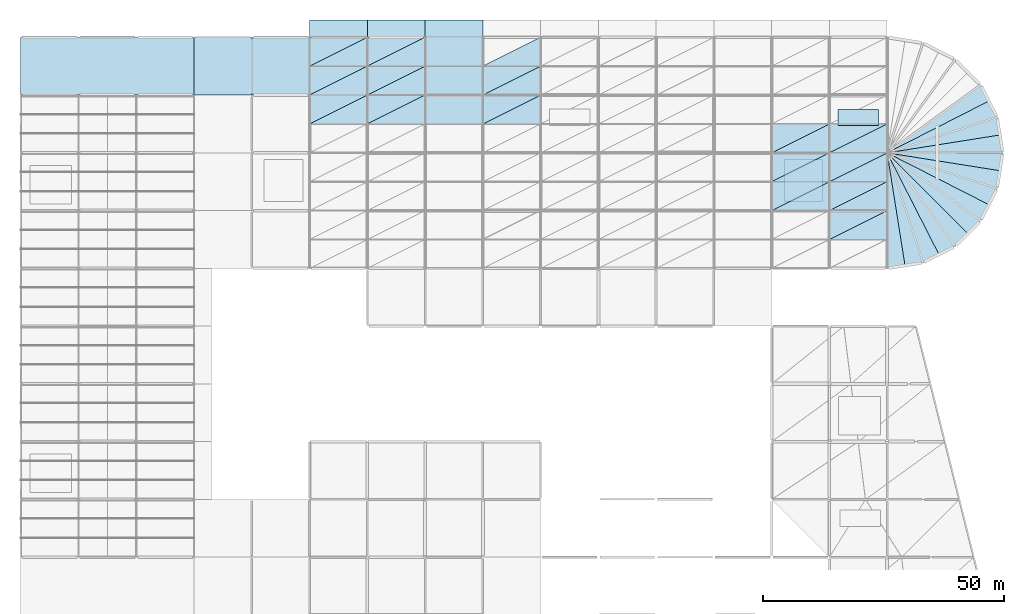
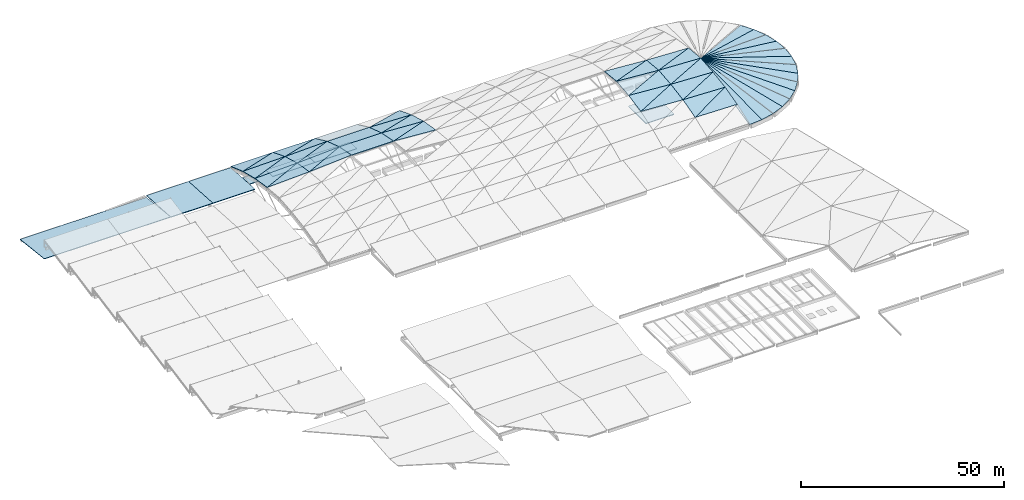
# One storey, part 21 of 23: 56 slabs, 3 elements without a shape of their own.
"""IFC4 building model written with IfcOpenShell, lengths in metres."""

from ifc_helpers import new_model, si_unit, direction, frame, origin, place, context, subcontext, project, spatial, polyline, outline, extrude, material, layer, layer_set, type_object, element, aggregate, save


model = new_model("IFC4")

# Units and contexts
model_context = context("Model", 3, precision=1e-05, world=origin(), true_north=direction((0.0, 1.0)))
body_context = subcontext(model_context, "Body", "Model", "MODEL_VIEW")
ifc_project = project(units=[si_unit("LENGTHUNIT", "METRE"), si_unit("AREAUNIT", "SQUARE_METRE"), si_unit("VOLUMEUNIT", "CUBIC_METRE"), si_unit("PLANEANGLEUNIT", "RADIAN"), si_unit("MASSUNIT", "GRAM", prefix="KILO")], contexts=[model_context])

# Site, building, storey
site_placement = place(None, origin())
site = spatial("IfcSite", under=ifc_project, at=site_placement, CompositionType="ELEMENT")
building_placement = place(site_placement, origin())
building = spatial("IfcBuilding", under=site, at=building_placement, Name="Kamomehara Wholesale Market", CompositionType="ELEMENT")
storey_placement = place(building_placement, frame((0.0, 0.0, 21.0)))
storey = spatial("IfcBuildingStorey", under=building, at=storey_placement, Name="RF", CompositionType="ELEMENT", Elevation=21.0)

# Roof, slabs
ifc_material_1 = material(Name="Concrete Fc36 (C35/45)", Category="concrete")
ifc_layer_1 = layer(ifc_material_1, 0.199951171875)
ifc_layer_set_1 = layer_set([ifc_layer_1], Name="Concrete Fc36 (C35/45)")
roof_type_1 = type_object("IfcRoofType", Name="ROOF-SYS-06", PredefinedType="GABLE_ROOF", material=ifc_layer_set_1)
roof_1_placement = place(storey_placement, origin())
roof_1 = element("IfcRoof", 1, at=roof_1_placement, inside=storey, type_object=roof_type_1, Name="V3 Dock Canopy Roof", PredefinedType="GABLE_ROOF")
ifc_material_2 = material(Name="Concrete Fc36 (C35/45)", Category="concrete")
ifc_layer_2 = layer(ifc_material_2, 0.14990234375)
ifc_layer_set_2 = layer_set([ifc_layer_2], Name="Concrete Fc36 (C35/45)")
slab_type_1 = type_object("IfcSlabType", Name="SLB-ROF-150", PredefinedType="ROOF", material=ifc_layer_set_2)
slab_1_placement = place(storey_placement, frame((60.0, 156.0, -15.89990234375), z_axis=(0.0, 0.063751781538, 0.997965786162), x_axis=(1.0, 0.0, 0.0)))
slab_1 = element("IfcSlab", 2, at=slab_1_placement, type_object=slab_type_1, Name="Freight canopy deck V1 1", PredefinedType="ROOF", context=body_context, shape_type="SweptSolid", body=[
    extrude(outline(polyline([(0.0, 0.0), (12.0, 0.0), (12.0, 3.607435952382691), (0.0, 3.607435952382691), (0.0, 0.0)])), origin(), (0.0, 0.0, -1.0), 0.14990234375),
])
slab_2_placement = place(storey_placement, frame((72.0, 156.0, -15.89990234375), z_axis=(0.0, 0.063751781538, 0.997965786162), x_axis=(1.0, 0.0, 0.0)))
slab_2 = element("IfcSlab", 3, at=slab_2_placement, type_object=slab_type_1, Name="Freight canopy deck V1 2", PredefinedType="ROOF", context=body_context, shape_type="SweptSolid", body=[
    extrude(outline(polyline([(0.0, 0.0), (12.0, 0.0), (12.0, 3.607435952382691), (0.0, 3.607435952382691), (0.0, 0.0)])), origin(), (0.0, 0.0, -1.0), 0.14990234375),
])
slab_3_placement = place(storey_placement, frame((84.0, 156.0, -15.89990234375), z_axis=(0.0, 0.063751781538, 0.997965786162), x_axis=(1.0, 0.0, 0.0)))
slab_3 = element("IfcSlab", 4, at=slab_3_placement, type_object=slab_type_1, Name="Freight canopy deck V1 3", PredefinedType="ROOF", context=body_context, shape_type="SweptSolid", body=[
    extrude(outline(polyline([(0.0, 0.0), (12.0, 0.0), (12.0, 3.607435952382691), (0.0, 3.607435952382691), (0.0, 0.0)])), origin(), (0.0, 0.0, -1.0), 0.14990234375),
])
aggregate(roof_1, [slab_1, slab_2, slab_3])

# Roof, slab
ifc_material_3 = material(Name="Concrete Fc36 (C35/45)", Category="concrete")
ifc_layer_3 = layer(ifc_material_3, 0.199951171875)
ifc_layer_set_3 = layer_set([ifc_layer_3], Name="Concrete Fc36 (C35/45)")
roof_type_2 = type_object("IfcRoofType", Name="ROOF-SYS-03", PredefinedType="GABLE_ROOF", material=ifc_layer_set_3)
roof_2_placement = place(storey_placement, origin())
roof_2 = element("IfcRoof", 5, at=roof_2_placement, inside=storey, type_object=roof_type_2, Name="V3 North-Light Monitor Roof", PredefinedType="GABLE_ROOF")
ifc_material_4 = material(Name="Concrete Fc36 (C35/45)", Category="concrete")
ifc_layer_4 = layer(ifc_material_4, 0.1650390625)
ifc_layer_set_4 = layer_set([ifc_layer_4], Name="Concrete Fc36 (C35/45)")
slab_type_2 = type_object("IfcSlabType", Name="SLB-ROF-165", PredefinedType="ROOF", material=ifc_layer_set_4)
slab_4_placement = place(storey_placement, frame((0.0, 144.0, -8.199951171875), z_axis=(0.0, 0.115892661513, 0.993261743453), x_axis=(1.0, 0.0, 0.0)))
slab_4 = element("IfcSlab", 6, at=slab_4_placement, type_object=slab_type_2, Name="V3 step roof N", PredefinedType="ROOF", context=body_context, shape_type="SweptSolid", body=[
    extrude(outline(polyline([(0.0, 0.0), (36.0, 0.0), (36.0, 12.081407624019137), (0.0, 12.081407624019137), (0.0, 0.0)])), origin(), (0.0, 0.0, -1.0), 0.1650390625),
])
aggregate(roof_2, [slab_4])

# Roof, slabs
ifc_material_5 = material(Name="Concrete Fc36 (C35/45)", Category="concrete")
ifc_layer_5 = layer(ifc_material_5, 0.199951171875)
ifc_layer_set_5 = layer_set([ifc_layer_5], Name="Concrete Fc36 (C35/45)")
roof_type_3 = type_object("IfcRoofType", Name="ROOF-SYS-01", PredefinedType="BARREL_ROOF", material=ifc_layer_set_5)
roof_3_placement = place(storey_placement, origin())
roof_3 = element("IfcRoof", 7, at=roof_3_placement, inside=storey, type_object=roof_type_3, Name="V1 Wave-Barrel Concrete Shell Roof", PredefinedType="BARREL_ROOF")
ifc_material_6 = material(Name="Concrete Fc36 (C35/45)", Category="concrete")
ifc_layer_6 = layer(ifc_material_6, 0.179931640625)
ifc_layer_set_6 = layer_set([ifc_layer_6], Name="Concrete Fc36 (C35/45)")
slab_type_3 = type_object("IfcSlabType", Name="SLB-SHL-180", PredefinedType="ROOF", material=ifc_layer_set_6)
slab_5_placement = place(storey_placement, frame((60.0, 138.0, -4.10302734375), z_axis=(-0.042531295358, 0.166317007011, 0.985154679273), x_axis=(0.999069381242, 0.0, 0.043132023661)))
slab_5 = element("IfcSlab", 8, at=slab_5_placement, type_object=slab_type_3, Name="Concrete shell roof facet V1 11", PredefinedType="ROOF", context=body_context, shape_type="SweptSolid", body=[
    extrude(outline(polyline([(0.0, 0.0), (12.011177827394148, -1.3877787807814457e-17), (11.967487698934601, 6.084746297782048), (0.0, 0.0)])), origin(), (0.0, 0.0, -1.0), 0.179931640625),
])
slab_6_placement = place(storey_placement, frame((60.0, 138.0, -4.10302734375), z_axis=(-0.034175627197, 0.149850073603, 0.988117898809), x_axis=(0.893819353892, 0.446909676946, -0.036860592251)))
slab_6 = element("IfcSlab", 9, at=slab_6_placement, type_object=slab_type_3, Name="Concrete shell roof facet V1 12", PredefinedType="ROOF", context=body_context, shape_type="SweptSolid", body=[
    extrude(outline(polyline([(0.0, 0.0), (13.42553162197026, -4.579669976578771e-16), (2.714997960922878, 5.427405099950793), (0.0, 0.0)])), origin(), (0.0, 0.0, -1.0), 0.179931640625),
])
slab_7_placement = place(storey_placement, frame((60.0, 144.0, -5.012939453125), z_axis=(-0.033275667811, 0.270668196763, 0.96209742604), x_axis=(0.999402420026, 0.0, 0.034565920289)))
slab_7 = element("IfcSlab", 10, at=slab_7_placement, type_object=slab_type_3, Name="Concrete shell roof facet V1 13", PredefinedType="ROOF", context=body_context, shape_type="SweptSolid", body=[
    extrude(outline(polyline([(0.0, 0.0), (12.007175247467694, 2.7755575615628914e-17), (11.948828379089244, 6.232647918869456), (0.0, 0.0)])), origin(), (0.0, 0.0, -1.0), 0.179931640625),
])
slab_8_placement = place(storey_placement, frame((60.0, 144.0, -5.012939453125), z_axis=(-0.019564282951, 0.244790201603, 0.969378664935), x_axis=(0.890428254859, 0.44521412743, -0.094455829281)))
slab_8 = element("IfcSlab", 11, at=slab_8_placement, type_object=slab_type_3, Name="Concrete shell roof facet V1 14", PredefinedType="ROOF", context=body_context, shape_type="SweptSolid", body=[
    extrude(outline(polyline([(0.0, 0.0), (13.47666129697991, -5.551115123125783e-16), (2.8143982598221107, 5.511333932145175), (0.0, 0.0)])), origin(), (0.0, 0.0, -1.0), 0.179931640625),
])
slab_9_placement = place(storey_placement, frame((60.0, 150.0, -6.528076171875), z_axis=(-0.01877406137, 0.366510556951, 0.930224460151), x_axis=(0.999796399748, 0.0, 0.020178182547)))
slab_9 = element("IfcSlab", 12, at=slab_9_placement, type_object=slab_type_3, Name="Concrete shell roof facet V1 15", PredefinedType="ROOF", context=body_context, shape_type="SweptSolid", body=[
    extrude(outline(polyline([(0.0, 0.0), (12.002443700561829, 0.0), (11.954742201147136, 6.448742916861048), (0.0, 0.0)])), origin(), (0.0, 0.0, -1.0), 0.179931640625),
])
slab_10_placement = place(storey_placement, frame((60.0, 150.0, -6.528076171875), z_axis=(0.0, 0.333403982305, 0.942784060421), x_axis=(0.883447070008, 0.441723535004, -0.156210092884)))
slab_10 = element("IfcSlab", 13, at=slab_10_placement, type_object=slab_type_3, Name="Concrete shell roof facet V1 16", PredefinedType="ROOF", context=body_context, shape_type="SweptSolid", body=[
    extrude(outline(polyline([(0.0, 0.0), (13.583156713505653, 1.1102230246251565e-16), (2.9817918734150117, 5.622371699495678), (0.0, 0.0)])), origin(), (0.0, 0.0, -1.0), 0.179931640625),
])
slab_11_placement = place(storey_placement, frame((156.0, 120.0, -3.927001953125), z_axis=(0.05504453171, -0.166215256234, 0.984551973297), x_axis=(0.998440790708, 0.0, -0.055821030535)))
slab_11 = element("IfcSlab", 14, at=slab_11_placement, type_object=slab_type_3, Name="Concrete shell roof facet V1 117", PredefinedType="ROOF", context=body_context, shape_type="SweptSolid", body=[
    extrude(outline(polyline([(0.0, 0.0), (12.01873973066394, 2.7755575615628914e-17), (11.962196406520743, 6.08464043212021), (0.0, 0.0)])), origin(), (0.0, 0.0, -1.0), 0.179931640625),
])
slab_12_placement = place(storey_placement, frame((156.0, 120.0, -3.927001953125), z_axis=(0.06835176298, -0.192508199583, 0.978911962125), x_axis=(0.894136663514, 0.447068331757, 0.025485951041)))
slab_12 = element("IfcSlab", 15, at=slab_12_placement, type_object=slab_type_3, Name="Concrete shell roof facet V1 118", PredefinedType="ROOF", context=body_context, shape_type="SweptSolid", body=[
    extrude(outline(polyline([(0.0, 0.0), (13.420767193285554, 3.469446951953614e-16), (2.712481670566513, 5.480390667040873), (0.0, 0.0)])), origin(), (0.0, 0.0, -1.0), 0.179931640625),
])
slab_13_placement = place(storey_placement, frame((156.0, 126.0, -2.7470703125), z_axis=(0.069324257846, -0.097280193994, 0.992839720766), x_axis=(0.997571166828, 0.0, -0.069654627371)))
slab_13 = element("IfcSlab", 16, at=slab_13_placement, type_object=slab_type_3, Name="Concrete shell roof facet V1 119", PredefinedType="ROOF", context=body_context, shape_type="SweptSolid", body=[
    extrude(outline(polyline([(0.0, 0.0), (12.029216961193397, 2.7755575615628914e-17), (11.988267658773964, 6.02859341319302), (0.0, 0.0)])), origin(), (0.0, 0.0, -1.0), 0.179931640625),
])
slab_14_placement = place(storey_placement, frame((156.0, 126.0, -2.7470703125), z_axis=(0.073875619091, -0.106435763606, 0.99157138983), x_axis=(0.894271948928, 0.447135974464, -0.018630665603)))
slab_14 = element("IfcSlab", 17, at=slab_14_placement, type_object=slab_type_3, Name="Concrete shell roof facet V1 120", PredefinedType="ROOF", context=body_context, shape_type="SweptSolid", body=[
    extrude(outline(polyline([(0.0, 0.0), (13.418736900319645, -6.245004513516506e-16), (2.6708168975992668, 5.411240933935075), (0.0, 0.0)])), origin(), (0.0, 0.0, -1.0), 0.179931640625),
])
slab_15_placement = place(storey_placement, frame((156.0, 132.0, -2.10302734375), z_axis=(0.073945504694, 0.09724782922, 0.992509406528), x_axis=(0.997236109241, 0.0, -0.074297660971)))
slab_15 = element("IfcSlab", 18, at=slab_15_placement, type_object=slab_type_3, Name="Concrete shell roof facet V1 121", PredefinedType="ROOF", context=body_context, shape_type="SweptSolid", body=[
    extrude(outline(polyline([(0.0, 0.0), (12.03325861227836, 0.0), (12.076937510622571, 6.028574254398989), (0.0, 0.0)])), origin(), (0.0, 0.0, -1.0), 0.179931640625),
])
slab_16_placement = place(storey_placement, frame((156.0, 132.0, -2.10302734375), z_axis=(0.069258696211, 0.106471119233, 0.991900768106), x_axis=(0.889020295126, 0.444510147563, -0.109789086739)))
slab_16 = element("IfcSlab", 19, at=slab_16_placement, type_object=slab_type_3, Name="Concrete shell roof facet V1 122", PredefinedType="ROOF", context=body_context, shape_type="SweptSolid", body=[
    extrude(outline(polyline([(0.0, 0.0), (13.498004562759817, -6.661338147750939e-16), (2.7377697747387164, 5.3776768223949105), (0.0, 0.0)])), origin(), (0.0, 0.0, -1.0), 0.179931640625),
])
slab_17_placement = place(storey_placement, frame((180.0, 108.0, -9.0), z_axis=(0.017394861226, -0.22141008792, 0.975025636468), x_axis=(0.996928062679, 0.078322652167, 0.0)))
slab_17 = element("IfcSlab", 20, at=slab_17_placement, type_object=slab_type_3, Name="Bullnose apse shell facet 1", PredefinedType="ROOF", context=body_context, shape_type="SweptSolid", body=[
    extrude(outline(polyline([(0.0, 0.0), (3.7654735487243274, 0.0), (1.879743652003063, 24.539122469611172), (0.0, 0.0)])), origin(), (0.0, 0.0, -1.0), 0.179931640625),
])
slab_18_placement = place(storey_placement, frame((183.75390625, 108.294921875, -9.0), z_axis=(0.051899003076, -0.215945921261, 0.975025052278), x_axis=(0.972313704999, 0.233679393768, 0.0)))
slab_18 = element("IfcSlab", 21, at=slab_18_placement, type_object=slab_type_3, Name="Bullnose apse shell facet 2", PredefinedType="ROOF", context=body_context, shape_type="SweptSolid", body=[
    extrude(outline(polyline([(0.0, 0.0), (3.7663866673617017, 1.1102230246251565e-16), (1.889413791318213, 24.53883909941831), (0.0, 0.0)])), origin(), (0.0, 0.0, -1.0), 0.179931640625),
])
slab_19_placement = place(storey_placement, frame((187.416015625, 109.175048828125, -9.0), z_axis=(0.084965827708, -0.205202119308, 0.975024562949), x_axis=(0.923929944544, 0.382561704272, 0.0)))
slab_19 = element("IfcSlab", 22, at=slab_19_placement, type_object=slab_type_3, Name="Bullnose apse shell facet 3", PredefinedType="ROOF", context=body_context, shape_type="SweptSolid", body=[
    extrude(outline(polyline([(0.0, 0.0), (3.766498195346454, 0.0), (1.8800733151021385, 24.538601750189116), (0.0, 0.0)])), origin(), (0.0, 0.0, -1.0), 0.179931640625),
])
slab_20_placement = place(storey_placement, frame((190.89599609375, 110.615966796875, -9.0), z_axis=(0.116059869866, -0.189358566986, 0.975024840563), x_axis=(0.852598457307, 0.522566618335, 0.0)))
slab_20 = element("IfcSlab", 23, at=slab_20_placement, type_object=slab_type_3, Name="Bullnose apse shell facet 4", PredefinedType="ROOF", context=body_context, shape_type="SweptSolid", body=[
    extrude(outline(polyline([(0.0, 0.0), (3.766060649633147, 0.0), (1.884672456980919, 24.538736406202478), (0.0, 0.0)])), origin(), (0.0, 0.0, -1.0), 0.179931640625),
])
slab_21_placement = place(storey_placement, frame((194.10693359375, 112.583984375, -9.0), z_axis=(0.144202913702, -0.168911071457, 0.975025419986), x_axis=(0.760541076614, 0.649289820329, 0.0)))
slab_21 = element("IfcSlab", 24, at=slab_21_placement, type_object=slab_type_3, Name="Bullnose apse shell facet 5", PredefinedType="ROOF", context=body_context, shape_type="SweptSolid", body=[
    extrude(outline(polyline([(0.0, 0.0), (3.7657580371956554, -4.440892098500626e-16), (1.8777188335634991, 24.539017460497867), (0.0, 0.0)])), origin(), (0.0, 0.0, -1.0), 0.179931640625),
])
slab_22_placement = place(storey_placement, frame((196.970947265625, 115.029052734375, -9.0), z_axis=(0.168911071457, -0.144202913702, 0.975025419986), x_axis=(0.649289820329, 0.760541076614, 0.0)))
slab_22 = element("IfcSlab", 25, at=slab_22_placement, type_object=slab_type_3, Name="Bullnose apse shell facet 6", PredefinedType="ROOF", context=body_context, shape_type="SweptSolid", body=[
    extrude(outline(polyline([(0.0, 0.0), (3.7657580371956554, 4.440892098500626e-16), (1.8880392036321572, 24.53901746049787), (0.0, 0.0)])), origin(), (0.0, 0.0, -1.0), 0.179931640625),
])
slab_23_placement = place(storey_placement, frame((199.416015625, 117.89306640625, -9.0), z_axis=(0.189358566986, -0.116059869866, 0.975024840563), x_axis=(0.522566618335, 0.852598457307, 0.0)))
slab_23 = element("IfcSlab", 26, at=slab_23_placement, type_object=slab_type_3, Name="Bullnose apse shell facet 7", PredefinedType="ROOF", context=body_context, shape_type="SweptSolid", body=[
    extrude(outline(polyline([(0.0, 0.0), (3.766060649633147, 0.0), (1.8813881926522278, 24.538736406202478), (0.0, 0.0)])), origin(), (0.0, 0.0, -1.0), 0.179931640625),
])
slab_24_placement = place(storey_placement, frame((201.384033203125, 121.10400390625, -9.0), z_axis=(0.205202119308, -0.084965827708, 0.975024562949), x_axis=(0.382561704272, 0.923929944544, 0.0)))
slab_24 = element("IfcSlab", 27, at=slab_24_placement, type_object=slab_type_3, Name="Bullnose apse shell facet 8", PredefinedType="ROOF", context=body_context, shape_type="SweptSolid", body=[
    extrude(outline(polyline([(0.0, 0.0), (3.766498195346454, 0.0), (1.8864248802443147, 24.53860175018912), (0.0, 0.0)])), origin(), (0.0, 0.0, -1.0), 0.179931640625),
])
slab_25_placement = place(storey_placement, frame((202.824951171875, 124.583984375, -9.0), z_axis=(0.215945921261, -0.051899003076, 0.975025052278), x_axis=(0.233679393768, 0.972313704999, 0.0)))
slab_25 = element("IfcSlab", 28, at=slab_25_placement, type_object=slab_type_3, Name="Bullnose apse shell facet 9", PredefinedType="ROOF", context=body_context, shape_type="SweptSolid", body=[
    extrude(outline(polyline([(0.0, 0.0), (3.7663866673617017, -1.1102230246251565e-16), (1.8769728760434887, 24.53883909941831), (0.0, 0.0)])), origin(), (0.0, 0.0, -1.0), 0.179931640625),
])
slab_26_placement = place(storey_placement, frame((203.705078125, 128.24609375, -9.0), z_axis=(0.22141008792, -0.017394861226, 0.975025636468), x_axis=(0.078322652167, 0.996928062679, 0.0)))
slab_26 = element("IfcSlab", 29, at=slab_26_placement, type_object=slab_type_3, Name="Bullnose apse shell facet 10", PredefinedType="ROOF", context=body_context, shape_type="SweptSolid", body=[
    extrude(outline(polyline([(0.0, 0.0), (3.7654735487243274, 0.0), (1.8857298967212643, 24.539122469611172), (0.0, 0.0)])), origin(), (0.0, 0.0, -1.0), 0.179931640625),
])
slab_27_placement = place(storey_placement, frame((204.0, 132.0, -9.0), z_axis=(0.22141008792, 0.017394861226, 0.975025636468), x_axis=(-0.078322652167, 0.996928062679, 0.0)))
slab_27 = element("IfcSlab", 30, at=slab_27_placement, type_object=slab_type_3, Name="Bullnose apse shell facet 11", PredefinedType="ROOF", context=body_context, shape_type="SweptSolid", body=[
    extrude(outline(polyline([(0.0, 0.0), (3.7654735487243274, 0.0), (1.879743652003063, 24.539122469611172), (0.0, 0.0)])), origin(), (0.0, 0.0, -1.0), 0.179931640625),
])
slab_28_placement = place(storey_placement, frame((203.705078125, 135.75390625, -9.0), z_axis=(0.215945921261, 0.051899003076, 0.975025052278), x_axis=(-0.233679393768, 0.972313704999, 0.0)))
slab_28 = element("IfcSlab", 31, at=slab_28_placement, type_object=slab_type_3, Name="Bullnose apse shell facet 12", PredefinedType="ROOF", context=body_context, shape_type="SweptSolid", body=[
    extrude(outline(polyline([(0.0, 0.0), (3.7663866673617017, 1.1102230246251565e-16), (1.889413791318213, 24.53883909941831), (0.0, 0.0)])), origin(), (0.0, 0.0, -1.0), 0.179931640625),
])
slab_29_placement = place(storey_placement, frame((202.824951171875, 139.416015625, -9.0), z_axis=(0.205202119308, 0.084965827708, 0.975024562949), x_axis=(-0.382561704272, 0.923929944544, 0.0)))
slab_29 = element("IfcSlab", 32, at=slab_29_placement, type_object=slab_type_3, Name="Bullnose apse shell facet 13", PredefinedType="ROOF", context=body_context, shape_type="SweptSolid", body=[
    extrude(outline(polyline([(0.0, 0.0), (3.766498195346454, 0.0), (1.8800733151021385, 24.538601750189116), (0.0, 0.0)])), origin(), (0.0, 0.0, -1.0), 0.179931640625),
])
slab_30_placement = place(storey_placement, frame((201.384033203125, 142.89599609375, -9.0), z_axis=(0.189358566986, 0.116059869866, 0.975024840563), x_axis=(-0.522566618335, 0.852598457307, 0.0)))
slab_30 = element("IfcSlab", 33, at=slab_30_placement, type_object=slab_type_3, Name="Bullnose apse shell facet 14", PredefinedType="ROOF", context=body_context, shape_type="SweptSolid", body=[
    extrude(outline(polyline([(0.0, 0.0), (3.766060649633147, 0.0), (1.884672456980919, 24.538736406202478), (0.0, 0.0)])), origin(), (0.0, 0.0, -1.0), 0.179931640625),
])
ifc_material_7 = material(Name="Concrete Fc36 (C35/45)", Category="concrete")
ifc_layer_7 = layer(ifc_material_7, 0.195068359375)
ifc_layer_set_7 = layer_set([ifc_layer_7], Name="Concrete Fc36 (C35/45)")
slab_type_4 = type_object("IfcSlabType", Name="SLB-SHL-195", PredefinedType="ROOF", material=ifc_layer_set_7)
slab_31_placement = place(storey_placement, frame((36.0, 144.0, -8.25), z_axis=(0.0, 0.062378286155, 0.998052578483), x_axis=(1.0, 0.0, 0.0)))
slab_31 = element("IfcSlab", 34, at=slab_31_placement, type_object=slab_type_4, Name="Sorting hall roof slab 1.4", PredefinedType="ROOF", context=body_context, shape_type="SweptSolid", body=[
    extrude(outline(polyline([(0.0, 0.0), (12.0, 0.0), (12.0, 12.023414656411047), (0.0, 12.023414656411047), (0.0, 0.0)])), origin(), (0.0, 0.0, -1.0), 0.195068359375),
])
slab_32_placement = place(storey_placement, frame((48.0, 144.0, -8.25), z_axis=(0.0, 0.062378286155, 0.998052578483), x_axis=(1.0, 0.0, 0.0)))
slab_32 = element("IfcSlab", 35, at=slab_32_placement, type_object=slab_type_4, Name="Sorting hall roof slab 2.4", PredefinedType="ROOF", context=body_context, shape_type="SweptSolid", body=[
    extrude(outline(polyline([(0.0, 0.0), (12.0, 0.0), (12.0, 12.023414656411047), (0.0, 12.023414656411047), (0.0, 0.0)])), origin(), (0.0, 0.0, -1.0), 0.195068359375),
])
slab_33_placement = place(storey_placement, frame((72.0, 138.0, -3.5849609375), z_axis=(-0.06835176298, 0.192508199583, 0.978911962125), x_axis=(0.997571166828, 0.0, 0.069654627371)))
slab_33 = element("IfcSlab", 36, at=slab_33_placement, type_object=slab_type_4, Name="Concrete shell roof facet V1 27", PredefinedType="ROOF", context=body_context, shape_type="SweptSolid", body=[
    extrude(outline(polyline([(0.0, 0.0), (12.029216961193397, 5.551115123125783e-17), (11.9470292624421, 6.114367003927877), (0.0, 0.0)])), origin(), (0.0, 0.0, -1.0), 0.195068359375),
])
slab_34_placement = place(storey_placement, frame((72.0, 138.0, -3.5849609375), z_axis=(-0.05504453171, 0.166215256234, 0.984551973297), x_axis=(0.894136663514, 0.447068331757, -0.025485951041)))
slab_34 = element("IfcSlab", 37, at=slab_34_placement, type_object=slab_type_4, Name="Concrete shell roof facet V1 28", PredefinedType="ROOF", context=body_context, shape_type="SweptSolid", body=[
    extrude(outline(polyline([(0.0, 0.0), (13.420767193285554, 2.5673907444456745e-16), (2.7082257158516057, 5.448996220194802), (0.0, 0.0)])), origin(), (0.0, 0.0, -1.0), 0.195068359375),
])
slab_35_placement = place(storey_placement, frame((72.0, 144.0, -4.597900390625), z_axis=(-0.053048715313, 0.311226851628, 0.948853877386), x_axis=(0.998440790708, 0.0, 0.055821030535)))
slab_35 = element("IfcSlab", 38, at=slab_35_placement, type_object=slab_type_4, Name="Concrete shell roof facet V1 29", PredefinedType="ROOF", context=body_context, shape_type="SweptSolid", body=[
    extrude(outline(polyline([(0.0, 0.0), (12.01873973066394, 2.7755575615628914e-17), (11.908882961341616, 6.313558796593491), (0.0, 0.0)])), origin(), (0.0, 0.0, -1.0), 0.195068359375),
])
slab_36_placement = place(storey_placement, frame((72.0, 144.0, -4.597900390625), z_axis=(-0.031339811588, 0.270685143436, 0.962157663448), x_axis=(0.890276020444, 0.445138010222, -0.09623283888)))
slab_36 = element("IfcSlab", 39, at=slab_36_placement, type_object=slab_type_4, Name="Concrete shell roof facet V1 30", PredefinedType="ROOF", context=body_context, shape_type="SweptSolid", body=[
    extrude(outline(polyline([(0.0, 0.0), (13.478965763921792, 5.551115123125783e-16), (2.8332679656312587, 5.551747208993314), (0.0, 0.0)])), origin(), (0.0, 0.0, -1.0), 0.195068359375),
])
slab_37_placement = place(storey_placement, frame((72.0, 150.0, -6.285888671875), z_axis=(-0.029588357436, 0.417083104691, 0.908386598803), x_axis=(0.999469940198, 0.0, 0.03255516305)))
slab_37 = element("IfcSlab", 40, at=slab_37_placement, type_object=slab_type_4, Name="Concrete shell roof facet V1 31", PredefinedType="ROOF", context=body_context, shape_type="SweptSolid", body=[
    extrude(outline(polyline([(0.0, 0.0), (12.006364090976625, 0.0), (11.916678431830762, 6.601616150091694), (0.0, 0.0)])), origin(), (0.0, 0.0, -1.0), 0.195068359375),
])
slab_38_placement = place(storey_placement, frame((72.0, 150.0, -6.285888671875), z_axis=(0.0, 0.366575165173, 0.930388439459), x_axis=(0.880857475286, 0.440428737643, -0.173529926212)))
slab_38 = element("IfcSlab", 41, at=slab_38_placement, type_object=slab_type_4, Name="Concrete shell roof facet V1 32", PredefinedType="ROOF", context=body_context, shape_type="SweptSolid", body=[
    extrude(outline(polyline([(0.0, 0.0), (13.623089247333438, 1.1102230246251565e-16), (3.0527995439031868, 5.680578807265718), (0.0, 0.0)])), origin(), (0.0, 0.0, -1.0), 0.195068359375),
])
slab_39_placement = place(storey_placement, frame((168.0, 114.0, -6.285888671875), z_axis=(0.019564282951, -0.244790201603, 0.969378664935), x_axis=(0.999796399748, 0.0, -0.020178182547)))
slab_39 = element("IfcSlab", 42, at=slab_39_placement, type_object=slab_type_4, Name="Concrete shell roof facet V1 131", PredefinedType="ROOF", context=body_context, shape_type="SweptSolid", body=[
    extrude(outline(polyline([(0.0, 0.0), (12.002443700561829, -1.3877787807814457e-17), (11.971870995267231, 6.188271534620592), (0.0, 0.0)])), origin(), (0.0, 0.0, -1.0), 0.195068359375),
])
slab_40_placement = place(storey_placement, frame((168.0, 114.0, -6.285888671875), z_axis=(0.033275667811, -0.270668196763, 0.96209742604), x_axis=(0.890428254859, 0.44521412743, 0.094455829281)))
slab_40 = element("IfcSlab", 43, at=slab_40_placement, type_object=slab_type_4, Name="Concrete shell roof facet V1 132", PredefinedType="ROOF", context=body_context, shape_type="SweptSolid", body=[
    extrude(outline(polyline([(0.0, 0.0), (13.47666129697991, 4.440892098500626e-16), (2.8307250975006237, 5.553044197556635), (0.0, 0.0)])), origin(), (0.0, 0.0, -1.0), 0.195068359375),
])
slab_41_placement = place(storey_placement, frame((168.0, 120.0, -4.597900390625), z_axis=(0.034175627197, -0.149850073603, 0.988117898809), x_axis=(0.999402420026, 0.0, -0.034565920289)))
slab_41 = element("IfcSlab", 44, at=slab_41_placement, type_object=slab_type_4, Name="Concrete shell roof facet V1 133", PredefinedType="ROOF", context=body_context, shape_type="SweptSolid", body=[
    extrude(outline(polyline([(0.0, 0.0), (12.007175247467694, 1.3877787807814457e-17), (11.975723298025043, 6.068521304375845), (0.0, 0.0)])), origin(), (0.0, 0.0, -1.0), 0.195068359375),
])
slab_42_placement = place(storey_placement, frame((168.0, 120.0, -4.597900390625), z_axis=(0.042531295358, -0.166317007011, 0.985154679273), x_axis=(0.893819353892, 0.446909676946, 0.036860592251)))
slab_42 = element("IfcSlab", 45, at=slab_42_placement, type_object=slab_type_4, Name="Concrete shell roof facet V1 134", PredefinedType="ROOF", context=body_context, shape_type="SweptSolid", body=[
    extrude(outline(polyline([(0.0, 0.0), (13.42553162197026, 0.0), (2.7187956098315857, 5.44373004176894), (0.0, 0.0)])), origin(), (0.0, 0.0, -1.0), 0.195068359375),
])
slab_43_placement = place(storey_placement, frame((168.0, 126.0, -3.5849609375), z_axis=(0.042950336479, -0.091689455348, 0.994860951276), x_axis=(0.999069381242, 0.0, -0.043132023661)))
slab_43 = element("IfcSlab", 46, at=slab_43_placement, type_object=slab_type_4, Name="Concrete shell roof facet V1 135", PredefinedType="ROOF", context=body_context, shape_type="SweptSolid", body=[
    extrude(outline(polyline([(0.0, 0.0), (12.011177827394148, -6.938893903907228e-18), (11.987326744974077, 6.025381014061287), (0.0, 0.0)])), origin(), (0.0, 0.0, -1.0), 0.195068359375),
])
slab_44_placement = place(storey_placement, frame((168.0, 126.0, -3.5849609375), z_axis=(0.045813766695, -0.097412406359, 0.994189077524), x_axis=(0.894424162745, 0.447212081372, 0.002602186183)))
slab_44 = element("IfcSlab", 47, at=slab_44_placement, type_object=slab_type_4, Name="Concrete shell roof facet V1 136", PredefinedType="ROOF", context=body_context, shape_type="SweptSolid", body=[
    extrude(outline(polyline([(0.0, 0.0), (13.416453288979953, -4.809520837145698e-16), (2.684802289095821, 5.397911823606304), (0.0, 0.0)])), origin(), (0.0, 0.0, -1.0), 0.195068359375),
])
slab_45_placement = place(storey_placement, frame((168.0, 132.0, -2.9970703125), z_axis=(0.045838837587, 0.091677675173, 0.994733132475), x_axis=(0.998939933695, 0.0, -0.046032693478)))
slab_45 = element("IfcSlab", 48, at=slab_45_placement, type_object=slab_type_4, Name="Concrete shell roof facet V1 137", PredefinedType="ROOF", context=body_context, shape_type="SweptSolid", body=[
    extrude(outline(polyline([(0.0, 0.0), (12.012734294853226, 0.0), (12.03818938536279, 6.025374451194713), (0.0, 0.0)])), origin(), (0.0, 0.0, -1.0), 0.195068359375),
])
slab_46_placement = place(storey_placement, frame((168.0, 132.0, -2.9970703125), z_axis=(0.042926839379, 0.097424909731, 0.994316686687), x_axis=(0.891403673287, 0.445701836643, -0.082154513346)))
slab_46 = element("IfcSlab", 49, at=slab_46_placement, type_object=slab_type_4, Name="Concrete shell roof facet V1 138", PredefinedType="ROOF", context=body_context, shape_type="SweptSolid", body=[
    extrude(outline(polyline([(0.0, 0.0), (13.4619144609885, -1.5265566588595902e-16), (2.7225088880585195, 5.378992539630935), (0.0, 0.0)])), origin(), (0.0, 0.0, -1.0), 0.195068359375),
])
ifc_material_8 = material(Name="Concrete Fc36 (C35/45)", Category="concrete")
ifc_layer_8 = layer(ifc_material_8, 0.2099609375)
ifc_layer_set_8 = layer_set([ifc_layer_8], Name="Concrete Fc36 (C35/45)")
slab_type_5 = type_object("IfcSlabType", Name="SLB-SHL-210", PredefinedType="ROOF", material=ifc_layer_set_8)
slab_47_placement = place(storey_placement, frame((84.0, 138.0, -2.7470703125), z_axis=(0.0, 0.192959477105, 0.981206726534), x_axis=(1.0, 0.0, 0.0)))
slab_47 = element("IfcSlab", 50, at=slab_47_placement, type_object=slab_type_5, Name="Concrete shell roof strip V1 38", PredefinedType="ROOF", context=body_context, shape_type="SweptSolid", body=[
    extrude(outline(polyline([(0.0, 0.0), (12.0, 0.0), (12.0, 6.114919351598024), (0.0, 6.114919351598024), (0.0, 0.0)])), origin(), (0.0, 0.0, -1.0), 0.2099609375),
])
slab_48_placement = place(storey_placement, frame((84.0, 144.0, -3.927001953125), z_axis=(0.0, 0.311665700132, 0.950191818193), x_axis=(1.0, 0.0, 0.0)))
slab_48 = element("IfcSlab", 51, at=slab_48_placement, type_object=slab_type_5, Name="Concrete shell roof strip V1 39", PredefinedType="ROOF", context=body_context, shape_type="SweptSolid", body=[
    extrude(outline(polyline([(0.0, 0.0), (12.0, 0.0), (12.0, 6.3145144855173925), (0.0, 6.3145144855173925), (0.0, 0.0)])), origin(), (0.0, 0.0, -1.0), 0.2099609375),
])
slab_49_placement = place(storey_placement, frame((84.0, 150.0, -5.89501953125), z_axis=(0.0, 0.417265796716, 0.908784493096), x_axis=(1.0, 0.0, 0.0)))
slab_49 = element("IfcSlab", 52, at=slab_49_placement, type_object=slab_type_5, Name="Concrete shell roof strip V1 40", PredefinedType="ROOF", context=body_context, shape_type="SweptSolid", body=[
    extrude(outline(polyline([(0.0, 0.0), (12.0, 0.0), (12.0, 6.602225330190413), (0.0, 6.602225330190413), (0.0, 0.0)])), origin(), (0.0, 0.0, -1.0), 0.2099609375),
])

# Slabs
slab_50_placement = place(storey_placement, frame((0.0, 0.0, -9.81005859375)))
element("IfcSlab", 53, at=slab_50_placement, inside=storey, type_object=slab_type_5, Name="Core overrun roof slab CORE-V1E", PredefinedType="ROOF", context=body_context, shape_type="SweptSolid", body=[
    extrude(outline(polyline([(158.580078125, 121.929931640625), (166.60009765625, 121.929931640625), (166.60009765625, 130.60009765625), (158.580078125, 130.60009765625), (158.580078125, 121.929931640625)])), origin(), (0.0, 0.0, 1.0), 0.2099609375),
])
slab_51_placement = place(storey_placement, frame((0.0, 0.0, -9.81005859375)))
element("IfcSlab", 54, at=slab_51_placement, inside=storey, type_object=slab_type_5, Name="Stair enclosure roof slab ST-V1AP", PredefinedType="ROOF", context=body_context, shape_type="SweptSolid", body=[
    extrude(outline(polyline([(169.800048828125, 137.639892578125), (178.179931640625, 137.639892578125), (178.179931640625, 141.030029296875), (169.800048828125, 141.030029296875), (169.800048828125, 137.639892578125)])), origin(), (0.0, 0.0, 1.0), 0.2099609375),
])

# Slab
ifc_material_9 = material(Name="Concrete Fc36 (C35/45)", Category="concrete")
ifc_layer_9 = layer(ifc_material_9, 0.22509765625)
ifc_layer_set_9 = layer_set([ifc_layer_9], Name="Concrete Fc36 (C35/45)")
slab_type_6 = type_object("IfcSlabType", Name="SLB-SHL-225", PredefinedType="ROOF", material=ifc_layer_set_9)
slab_52_placement = place(storey_placement, frame((96.0, 138.0, -2.7470703125), z_axis=(0.068687348331, 0.166074480319, 0.983718107572), x_axis=(0.997571166828, 0.0, -0.069654627371)))
slab_52 = element("IfcSlab", 55, at=slab_52_placement, type_object=slab_type_6, Name="Concrete shell roof facet V1 51", PredefinedType="ROOF", context=body_context, shape_type="SweptSolid", body=[
    extrude(outline(polyline([(0.0, 0.0), (12.029216961193397, -2.7755575615628914e-17), (12.09977288135047, 6.084494079036314), (0.0, 0.0)])), origin(), (0.0, 0.0, -1.0), 0.22509765625),
])

slab_53_placement = place(storey_placement, frame((96.0, 138.0, -2.7470703125), z_axis=(0.054775148206, 0.192669789867, 0.979733655241), x_axis=(0.886035871948, 0.443017935974, -0.136658486842)))
slab_53 = element("IfcSlab", 56, at=slab_53_placement, type_object=slab_type_6, Name="Concrete shell roof facet V1 52", PredefinedType="ROOF", context=body_context, shape_type="SweptSolid", body=[
    extrude(outline(polyline([(0.0, 0.0), (13.543469717103228, 5.551115123125783e-16), (2.8193552884295263, 5.426184150409242), (0.0, 0.0)])), origin(), (0.0, 0.0, -1.0), 0.22509765625),
])

slab_54_placement = place(storey_placement, frame((96.0, 144.0, -3.927001953125), z_axis=(0.05374116883, 0.270426813168, 0.961239421524), x_axis=(0.998440790708, 0.0, -0.055821030535)))
slab_54 = element("IfcSlab", 57, at=slab_54_placement, type_object=slab_type_6, Name="Concrete shell roof facet V1 53", PredefinedType="ROOF", context=body_context, shape_type="SweptSolid", body=[
    extrude(outline(polyline([(0.0, 0.0), (12.01873973066394, -2.7755575615628914e-17), (12.112964976054656, 6.232208761006679), (0.0, 0.0)])), origin(), (0.0, 0.0, -1.0), 0.22509765625),
])

slab_55_placement = place(storey_placement, frame((96.0, 144.0, -3.927001953125), z_axis=(0.030935241972, 0.311516534082, 0.949737047712), x_axis=(0.880914944476, 0.440457472238, -0.173164880239)))
slab_55 = element("IfcSlab", 58, at=slab_55_placement, type_object=slab_type_6, Name="Concrete shell roof facet V1 54", PredefinedType="ROOF", context=body_context, shape_type="SweptSolid", body=[
    extrude(outline(polyline([(0.0, 0.0), (13.622200503292232, 4.440892098500626e-16), (2.9835363616533987, 5.565213739516299), (0.0, 0.0)])), origin(), (0.0, 0.0, -1.0), 0.22509765625),
])

slab_56_placement = place(storey_placement, frame((96.0, 150.0, -5.89501953125), z_axis=(0.030291104428, 0.366406950871, 0.929961502077), x_axis=(0.999469940198, 0.0, -0.03255516305)))
slab_56 = element("IfcSlab", 59, at=slab_56_placement, type_object=slab_type_6, Name="Concrete shell roof facet V1 55", PredefinedType="ROOF", context=body_context, shape_type="SweptSolid", body=[
    extrude(outline(polyline([(0.0, 0.0), (12.006364090976625, -2.7755575615628914e-17), (12.083324941518045, 6.448460100543064), (0.0, 0.0)])), origin(), (0.0, 0.0, -1.0), 0.22509765625),
])

aggregate(roof_3, [slab_31, slab_32, slab_5, slab_6, slab_7, slab_8, slab_9, slab_10, slab_33, slab_34, slab_35, slab_36, slab_37, slab_38, slab_47, slab_48, slab_49, slab_52, slab_53, slab_54, slab_55, slab_56, slab_11, slab_12, slab_13, slab_14, slab_15, slab_16, slab_39, slab_40, slab_41, slab_42, slab_43, slab_44, slab_45, slab_46, slab_17, slab_18, slab_19, slab_20, slab_21, slab_22, slab_23, slab_24, slab_25, slab_26, slab_27, slab_28, slab_29, slab_30])

save(model, "model.ifc")
